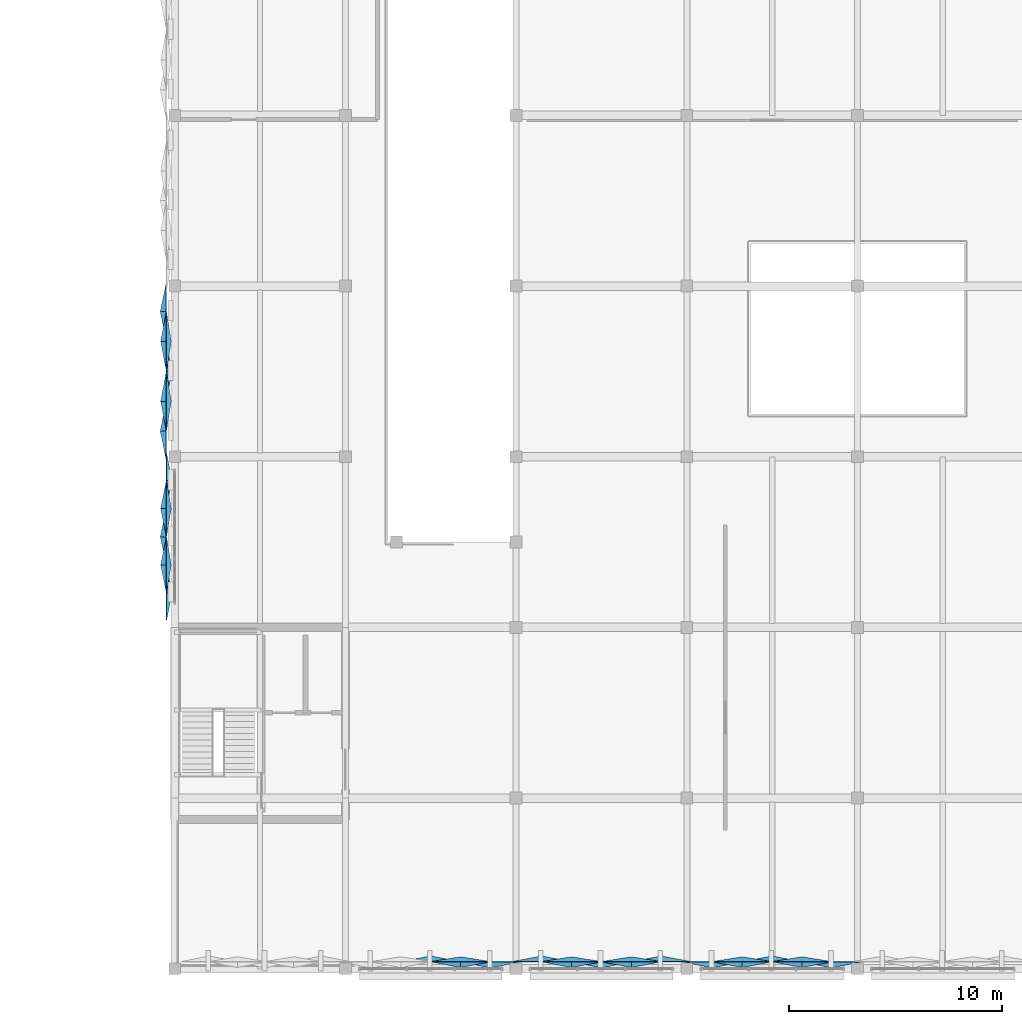
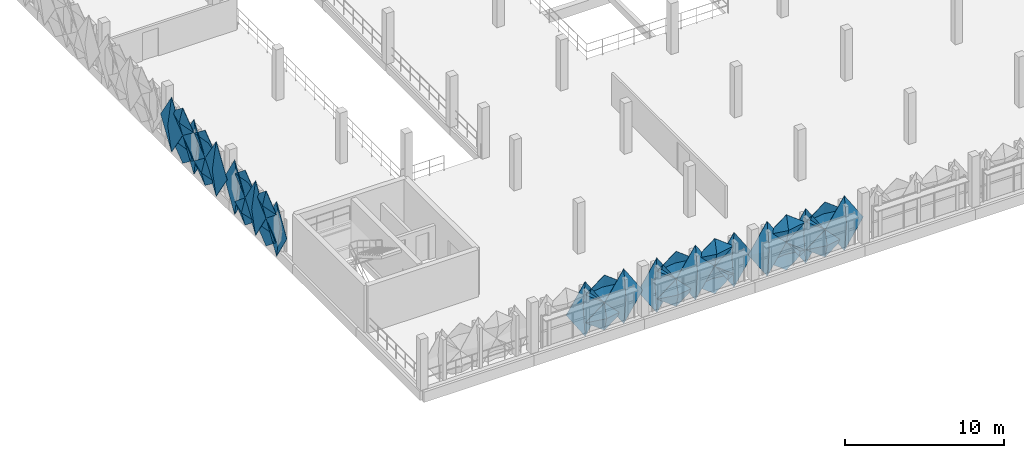
# One storey, part 58 of 83: 32 plates.
"""IFC4 building model written with IfcOpenShell, lengths in metres."""

from ifc_helpers import new_model, si_unit, derived_unit, direction, frame, origin, place, context, subcontext, project, spatial, polygons, material, layer, layer_set, type_object, element, save


model = new_model("IFC4")

# Units and contexts
model_context = context("Model", 3, precision=1e-05, world=origin(), true_north=direction((0.0, 1.0)))
body_context = subcontext(model_context, "Body", "Model", "MODEL_VIEW")
ifc_project = project(units=[si_unit("LENGTHUNIT", "METRE"), si_unit("AREAUNIT", "SQUARE_METRE"), si_unit("VOLUMEUNIT", "CUBIC_METRE"), si_unit("PLANEANGLEUNIT", "RADIAN"), si_unit("MASSUNIT", "GRAM", prefix="KILO"), si_unit("THERMODYNAMICTEMPERATUREUNIT", "KELVIN"), derived_unit("THERMALTRANSMITTANCEUNIT", [(si_unit("POWERUNIT", "WATT"), 1), (si_unit("AREAUNIT", "SQUARE_METRE"), -1), (si_unit("THERMODYNAMICTEMPERATUREUNIT", "KELVIN"), -1)])], contexts=[model_context])

# Site, building, storey
site_placement = place(None, origin())
site = spatial("IfcSite", under=ifc_project, at=site_placement, CompositionType="ELEMENT")
building_placement = place(site_placement, origin())
building = spatial("IfcBuilding", under=site, at=building_placement, Name="Haiyu Intermodal Mobility Hub", CompositionType="ELEMENT")
storey_placement = place(building_placement, frame((0.0, 0.0, 13.39990234375)))
storey = spatial("IfcBuildingStorey", under=building, at=storey_placement, Name="L03", CompositionType="ELEMENT", Elevation=13.39990234375)

# Plates
ifc_material = material(Name="Anodised aluminium 6063-T6", Category="aluminium")
ifc_layer_1 = layer(ifc_material, 0.01806640625)
ifc_layer_set_1 = layer_set([ifc_layer_1], Name="Anodised aluminium 6063-T6")
plate_type_1 = type_object("IfcPlateType", Name="PLT-FC01", PredefinedType="USERDEFINED", material=ifc_layer_set_1)
plate_1_placement = place(storey_placement, origin())
element("IfcPlate", 1, at=plate_1_placement, inside=storey, type_object=plate_type_1, Name="PLT-PYR-1754", ObjectType="FACADE CASSETTE", PredefinedType="USERDEFINED", context=body_context, shape_type="Tessellation", body=[
    polygons([(174.0, 16.320068359375, -0.510009765625), (175.3798828125, 16.320068359375, 1.60009765625), (174.0, 16.320068359375, 3.710205078125), (172.6201171875, 16.320068359375, 1.60009765625), (174.0, 16.0400390625, 1.60009765625), (174.0, 16.342041015625, -0.510009765625), (175.3798828125, 16.342041015625, 1.60009765625), (174.0, 16.342041015625, 3.710205078125), (172.6201171875, 16.342041015625, 1.60009765625), (174.0, 16.06201171875, 1.60009765625)], [[[1, 2, 5]], [[2, 3, 5]], [[3, 4, 5]], [[4, 1, 5]], [[7, 6, 10]], [[8, 7, 10]], [[9, 8, 10]], [[6, 9, 10]], [[1, 6, 7, 2]], [[2, 7, 8, 3]], [[3, 8, 9, 4]], [[4, 9, 6, 1]]], closed=True),
])
plate_2_placement = place(storey_placement, origin())
element("IfcPlate", 2, at=plate_2_placement, inside=storey, type_object=plate_type_1, Name="PLT-PYR-1756", ObjectType="FACADE CASSETTE", PredefinedType="USERDEFINED", context=body_context, shape_type="Tessellation", body=[
    polygons([(175.39990234375, 16.320068359375, 1.6201171875), (176.780029296875, 16.320068359375, 2.670166015625), (175.39990234375, 16.320068359375, 3.72021484375), (174.02001953125, 16.320068359375, 2.670166015625), (175.39990234375, 16.06005859375, 2.670166015625), (175.39990234375, 16.342041015625, 1.6201171875), (176.780029296875, 16.342041015625, 2.670166015625), (175.39990234375, 16.342041015625, 3.72021484375), (174.02001953125, 16.342041015625, 2.670166015625), (175.39990234375, 16.08203125, 2.670166015625)], [[[1, 2, 5]], [[2, 3, 5]], [[3, 4, 5]], [[4, 1, 5]], [[7, 6, 10]], [[8, 7, 10]], [[9, 8, 10]], [[6, 9, 10]], [[1, 6, 7, 2]], [[2, 7, 8, 3]], [[3, 8, 9, 4]], [[4, 9, 6, 1]]], closed=True),
])
plate_3_placement = place(storey_placement, origin())
element("IfcPlate", 3, at=plate_3_placement, inside=storey, type_object=plate_type_1, Name="PLT-PYR-1760", ObjectType="FACADE CASSETTE", PredefinedType="USERDEFINED", context=body_context, shape_type="Tessellation", body=[
    polygons([(180.60009765625, 16.320068359375, 1.6201171875), (181.97998046875, 16.320068359375, 2.670166015625), (180.60009765625, 16.320068359375, 3.72021484375), (179.219970703125, 16.320068359375, 2.670166015625), (180.60009765625, 16.06005859375, 2.670166015625), (180.60009765625, 16.342041015625, 1.6201171875), (181.97998046875, 16.342041015625, 2.670166015625), (180.60009765625, 16.342041015625, 3.72021484375), (179.219970703125, 16.342041015625, 2.670166015625), (180.60009765625, 16.08203125, 2.670166015625)], [[[1, 2, 5]], [[2, 3, 5]], [[3, 4, 5]], [[4, 1, 5]], [[7, 6, 10]], [[8, 7, 10]], [[9, 8, 10]], [[6, 9, 10]], [[1, 6, 7, 2]], [[2, 7, 8, 3]], [[3, 8, 9, 4]], [[4, 9, 6, 1]]], closed=True),
])
plate_4_placement = place(storey_placement, origin())
element("IfcPlate", 4, at=plate_4_placement, inside=storey, type_object=plate_type_1, Name="PLT-PYR-1827", ObjectType="FACADE CASSETTE", PredefinedType="USERDEFINED", context=body_context, shape_type="Tessellation", body=[
    polygons([(153.60009765625, 36.25, -0.510009765625), (153.60009765625, 34.952880859375, 1.60009765625), (153.60009765625, 36.25, 3.710205078125), (153.60009765625, 37.547119140625, 1.60009765625), (153.320068359375, 36.25, 1.60009765625), (153.6220703125, 36.25, -0.510009765625), (153.6220703125, 34.952880859375, 1.60009765625), (153.6220703125, 36.25, 3.710205078125), (153.6220703125, 37.547119140625, 1.60009765625), (153.342041015625, 36.25, 1.60009765625)], [[[1, 2, 5]], [[2, 3, 5]], [[3, 4, 5]], [[4, 1, 5]], [[7, 6, 10]], [[8, 7, 10]], [[9, 8, 10]], [[6, 9, 10]], [[1, 6, 7, 2]], [[2, 7, 8, 3]], [[3, 8, 9, 4]], [[4, 9, 6, 1]]], closed=True),
])
plate_5_placement = place(storey_placement, origin())
element("IfcPlate", 5, at=plate_5_placement, inside=storey, type_object=plate_type_1, Name="PLT-PYR-1829", ObjectType="FACADE CASSETTE", PredefinedType="USERDEFINED", context=body_context, shape_type="Tessellation", body=[
    polygons([(153.60009765625, 34.93310546875, 1.6201171875), (153.60009765625, 33.636962890625, 2.670166015625), (153.60009765625, 34.93310546875, 3.72021484375), (153.60009765625, 36.22998046875, 2.670166015625), (153.340087890625, 34.93310546875, 2.670166015625), (153.6220703125, 34.93310546875, 1.6201171875), (153.6220703125, 33.636962890625, 2.670166015625), (153.6220703125, 34.93310546875, 3.72021484375), (153.6220703125, 36.22998046875, 2.670166015625), (153.362060546875, 34.93310546875, 2.670166015625)], [[[1, 2, 5]], [[2, 3, 5]], [[3, 4, 5]], [[4, 1, 5]], [[7, 6, 10]], [[8, 7, 10]], [[9, 8, 10]], [[6, 9, 10]], [[1, 6, 7, 2]], [[2, 7, 8, 3]], [[3, 8, 9, 4]], [[4, 9, 6, 1]]], closed=True),
])
plate_6_placement = place(storey_placement, origin())
element("IfcPlate", 6, at=plate_6_placement, inside=storey, type_object=plate_type_1, Name="PLT-PYR-1833", ObjectType="FACADE CASSETTE", PredefinedType="USERDEFINED", context=body_context, shape_type="Tessellation", body=[
    polygons([(153.60009765625, 45.39990234375, 1.6201171875), (153.60009765625, 44.02001953125, 2.670166015625), (153.60009765625, 45.39990234375, 3.72021484375), (153.60009765625, 46.780029296875, 2.670166015625), (153.340087890625, 45.39990234375, 2.670166015625), (153.6220703125, 45.39990234375, 1.6201171875), (153.6220703125, 44.02001953125, 2.670166015625), (153.6220703125, 45.39990234375, 3.72021484375), (153.6220703125, 46.780029296875, 2.670166015625), (153.362060546875, 45.39990234375, 2.670166015625)], [[[1, 2, 5]], [[2, 3, 5]], [[3, 4, 5]], [[4, 1, 5]], [[7, 6, 10]], [[8, 7, 10]], [[9, 8, 10]], [[6, 9, 10]], [[1, 6, 7, 2]], [[2, 7, 8, 3]], [[3, 8, 9, 4]], [[4, 9, 6, 1]]], closed=True),
])
ifc_layer_2 = layer(ifc_material, 0.02001953125)
ifc_layer_set_2 = layer_set([ifc_layer_2], Name="Anodised aluminium 6063-T6")
plate_type_2 = type_object("IfcPlateType", Name="PLT-FC02", PredefinedType="USERDEFINED", material=ifc_layer_set_2)
plate_7_placement = place(storey_placement, origin())
element("IfcPlate", 7, at=plate_7_placement, inside=storey, type_object=plate_type_2, Name="PLT-PYR-1747", ObjectType="FACADE CASSETTE", PredefinedType="USERDEFINED", context=body_context, shape_type="Tessellation", body=[
    polygons([(166.0, 16.320068359375, -0.510009765625), (167.3798828125, 16.320068359375, 1.60009765625), (166.0, 16.320068359375, 3.710205078125), (164.6201171875, 16.320068359375, 1.60009765625), (166.0, 16.580078125, 1.60009765625), (166.0, 16.342041015625, -0.510009765625), (167.3798828125, 16.342041015625, 1.60009765625), (166.0, 16.342041015625, 3.710205078125), (164.6201171875, 16.342041015625, 1.60009765625), (166.0, 16.60205078125, 1.60009765625)], [[[1, 2, 5]], [[2, 3, 5]], [[3, 4, 5]], [[4, 1, 5]], [[7, 6, 10]], [[8, 7, 10]], [[9, 8, 10]], [[6, 9, 10]], [[1, 6, 7, 2]], [[2, 7, 8, 3]], [[3, 8, 9, 4]], [[4, 9, 6, 1]]], closed=True),
])
plate_8_placement = place(storey_placement, origin())
element("IfcPlate", 8, at=plate_8_placement, inside=storey, type_object=plate_type_2, Name="PLT-PYR-1749", ObjectType="FACADE CASSETTE", PredefinedType="USERDEFINED", context=body_context, shape_type="Tessellation", body=[
    polygons([(167.39990234375, 16.320068359375, 1.6201171875), (168.780029296875, 16.320068359375, 2.670166015625), (167.39990234375, 16.320068359375, 3.72021484375), (166.02001953125, 16.320068359375, 2.670166015625), (167.39990234375, 16.5400390625, 2.670166015625), (167.39990234375, 16.342041015625, 1.6201171875), (168.780029296875, 16.342041015625, 2.670166015625), (167.39990234375, 16.342041015625, 3.72021484375), (166.02001953125, 16.342041015625, 2.670166015625), (167.39990234375, 16.56201171875, 2.670166015625)], [[[1, 2, 5]], [[2, 3, 5]], [[3, 4, 5]], [[4, 1, 5]], [[7, 6, 10]], [[8, 7, 10]], [[9, 8, 10]], [[6, 9, 10]], [[1, 6, 7, 2]], [[2, 7, 8, 3]], [[3, 8, 9, 4]], [[4, 9, 6, 1]]], closed=True),
])
plate_9_placement = place(storey_placement, origin())
element("IfcPlate", 9, at=plate_9_placement, inside=storey, type_object=plate_type_2, Name="PLT-PYR-1753", ObjectType="FACADE CASSETTE", PredefinedType="USERDEFINED", context=body_context, shape_type="Tessellation", body=[
    polygons([(172.60009765625, 16.320068359375, 1.6201171875), (173.97998046875, 16.320068359375, 2.670166015625), (172.60009765625, 16.320068359375, 3.72021484375), (171.219970703125, 16.320068359375, 2.670166015625), (172.60009765625, 16.5400390625, 2.670166015625), (172.60009765625, 16.342041015625, 1.6201171875), (173.97998046875, 16.342041015625, 2.670166015625), (172.60009765625, 16.342041015625, 3.72021484375), (171.219970703125, 16.342041015625, 2.670166015625), (172.60009765625, 16.56201171875, 2.670166015625)], [[[1, 2, 5]], [[2, 3, 5]], [[3, 4, 5]], [[4, 1, 5]], [[7, 6, 10]], [[8, 7, 10]], [[9, 8, 10]], [[6, 9, 10]], [[1, 6, 7, 2]], [[2, 7, 8, 3]], [[3, 8, 9, 4]], [[4, 9, 6, 1]]], closed=True),
])
plate_10_placement = place(storey_placement, origin())
element("IfcPlate", 10, at=plate_10_placement, inside=storey, type_object=plate_type_2, Name="PLT-PYR-1761", ObjectType="FACADE CASSETTE", PredefinedType="USERDEFINED", context=body_context, shape_type="Tessellation", body=[
    polygons([(182.0, 16.320068359375, -0.510009765625), (183.3798828125, 16.320068359375, 1.60009765625), (182.0, 16.320068359375, 3.710205078125), (180.6201171875, 16.320068359375, 1.60009765625), (182.0, 16.580078125, 1.60009765625), (182.0, 16.342041015625, -0.510009765625), (183.3798828125, 16.342041015625, 1.60009765625), (182.0, 16.342041015625, 3.710205078125), (180.6201171875, 16.342041015625, 1.60009765625), (182.0, 16.60205078125, 1.60009765625)], [[[1, 2, 5]], [[2, 3, 5]], [[3, 4, 5]], [[4, 1, 5]], [[7, 6, 10]], [[8, 7, 10]], [[9, 8, 10]], [[6, 9, 10]], [[1, 6, 7, 2]], [[2, 7, 8, 3]], [[3, 8, 9, 4]], [[4, 9, 6, 1]]], closed=True),
])
plate_11_placement = place(storey_placement, origin())
element("IfcPlate", 11, at=plate_11_placement, inside=storey, type_object=plate_type_2, Name="PLT-PYR-1763", ObjectType="FACADE CASSETTE", PredefinedType="USERDEFINED", context=body_context, shape_type="Tessellation", body=[
    polygons([(183.39990234375, 16.320068359375, 1.6201171875), (184.780029296875, 16.320068359375, 2.670166015625), (183.39990234375, 16.320068359375, 3.72021484375), (182.02001953125, 16.320068359375, 2.670166015625), (183.39990234375, 16.5400390625, 2.670166015625), (183.39990234375, 16.342041015625, 1.6201171875), (184.780029296875, 16.342041015625, 2.670166015625), (183.39990234375, 16.342041015625, 3.72021484375), (182.02001953125, 16.342041015625, 2.670166015625), (183.39990234375, 16.56201171875, 2.670166015625)], [[[1, 2, 5]], [[2, 3, 5]], [[3, 4, 5]], [[4, 1, 5]], [[7, 6, 10]], [[8, 7, 10]], [[9, 8, 10]], [[6, 9, 10]], [[1, 6, 7, 2]], [[2, 7, 8, 3]], [[3, 8, 9, 4]], [[4, 9, 6, 1]]], closed=True),
])
plate_12_placement = place(storey_placement, origin())
element("IfcPlate", 12, at=plate_12_placement, inside=storey, type_object=plate_type_2, Name="PLT-PYR-1826", ObjectType="FACADE CASSETTE", PredefinedType="USERDEFINED", context=body_context, shape_type="Tessellation", body=[
    polygons([(153.60009765625, 37.56689453125, 1.6201171875), (153.60009765625, 36.27001953125, 2.670166015625), (153.60009765625, 37.56689453125, 3.72021484375), (153.60009765625, 38.863037109375, 2.670166015625), (153.820068359375, 37.56689453125, 2.670166015625), (153.6220703125, 37.56689453125, 1.6201171875), (153.6220703125, 36.27001953125, 2.670166015625), (153.6220703125, 37.56689453125, 3.72021484375), (153.6220703125, 38.863037109375, 2.670166015625), (153.842041015625, 37.56689453125, 2.670166015625)], [[[1, 2, 5]], [[2, 3, 5]], [[3, 4, 5]], [[4, 1, 5]], [[7, 6, 10]], [[8, 7, 10]], [[9, 8, 10]], [[6, 9, 10]], [[1, 6, 7, 2]], [[2, 7, 8, 3]], [[3, 8, 9, 4]], [[4, 9, 6, 1]]], closed=True),
])
plate_13_placement = place(storey_placement, origin())
element("IfcPlate", 13, at=plate_13_placement, inside=storey, type_object=plate_type_2, Name="PLT-PYR-1834", ObjectType="FACADE CASSETTE", PredefinedType="USERDEFINED", context=body_context, shape_type="Tessellation", body=[
    polygons([(153.60009765625, 44.0, -0.510009765625), (153.60009765625, 42.6201171875, 1.60009765625), (153.60009765625, 44.0, 3.710205078125), (153.60009765625, 45.3798828125, 1.60009765625), (153.860107421875, 44.0, 1.60009765625), (153.6220703125, 44.0, -0.510009765625), (153.6220703125, 42.6201171875, 1.60009765625), (153.6220703125, 44.0, 3.710205078125), (153.6220703125, 45.3798828125, 1.60009765625), (153.882080078125, 44.0, 1.60009765625)], [[[1, 2, 5]], [[2, 3, 5]], [[3, 4, 5]], [[4, 1, 5]], [[7, 6, 10]], [[8, 7, 10]], [[9, 8, 10]], [[6, 9, 10]], [[1, 6, 7, 2]], [[2, 7, 8, 3]], [[3, 8, 9, 4]], [[4, 9, 6, 1]]], closed=True),
])
plate_14_placement = place(storey_placement, origin())
element("IfcPlate", 14, at=plate_14_placement, inside=storey, type_object=plate_type_2, Name="PLT-PYR-1836", ObjectType="FACADE CASSETTE", PredefinedType="USERDEFINED", context=body_context, shape_type="Tessellation", body=[
    polygons([(153.60009765625, 42.60009765625, 1.6201171875), (153.60009765625, 41.219970703125, 2.670166015625), (153.60009765625, 42.60009765625, 3.72021484375), (153.60009765625, 43.97998046875, 2.670166015625), (153.820068359375, 42.60009765625, 2.670166015625), (153.6220703125, 42.60009765625, 1.6201171875), (153.6220703125, 41.219970703125, 2.670166015625), (153.6220703125, 42.60009765625, 3.72021484375), (153.6220703125, 43.97998046875, 2.670166015625), (153.842041015625, 42.60009765625, 2.670166015625)], [[[1, 2, 5]], [[2, 3, 5]], [[3, 4, 5]], [[4, 1, 5]], [[7, 6, 10]], [[8, 7, 10]], [[9, 8, 10]], [[6, 9, 10]], [[1, 6, 7, 2]], [[2, 7, 8, 3]], [[3, 8, 9, 4]], [[4, 9, 6, 1]]], closed=True),
])
ifc_layer_3 = layer(ifc_material, 0.01806640625)
ifc_layer_set_3 = layer_set([ifc_layer_3], Name="Anodised aluminium 6063-T6")
plate_type_3 = type_object("IfcPlateType", Name="PLT-FC03", PredefinedType="USERDEFINED", material=ifc_layer_set_3)
plate_15_placement = place(storey_placement, origin())
element("IfcPlate", 15, at=plate_15_placement, inside=storey, type_object=plate_type_3, Name="PLT-PYR-1750", ObjectType="FACADE CASSETTE", PredefinedType="USERDEFINED", context=body_context, shape_type="Tessellation", body=[
    polygons([(168.800048828125, 16.320068359375, -0.510009765625), (170.179931640625, 16.320068359375, 1.60009765625), (168.800048828125, 16.320068359375, 3.710205078125), (167.419921875, 16.320068359375, 1.60009765625), (168.800048828125, 16.0400390625, 1.60009765625), (168.800048828125, 16.342041015625, -0.510009765625), (170.179931640625, 16.342041015625, 1.60009765625), (168.800048828125, 16.342041015625, 3.710205078125), (167.419921875, 16.342041015625, 1.60009765625), (168.800048828125, 16.06201171875, 1.60009765625)], [[[1, 2, 5]], [[2, 3, 5]], [[3, 4, 5]], [[4, 1, 5]], [[7, 6, 10]], [[8, 7, 10]], [[9, 8, 10]], [[6, 9, 10]], [[1, 6, 7, 2]], [[2, 7, 8, 3]], [[3, 8, 9, 4]], [[4, 9, 6, 1]]], closed=True),
])
plate_16_placement = place(storey_placement, origin())
element("IfcPlate", 16, at=plate_16_placement, inside=storey, type_object=plate_type_3, Name="PLT-PYR-1764", ObjectType="FACADE CASSETTE", PredefinedType="USERDEFINED", context=body_context, shape_type="Tessellation", body=[
    polygons([(184.800048828125, 16.320068359375, -0.510009765625), (186.179931640625, 16.320068359375, 1.60009765625), (184.800048828125, 16.320068359375, 3.710205078125), (183.419921875, 16.320068359375, 1.60009765625), (184.800048828125, 16.0400390625, 1.60009765625), (184.800048828125, 16.342041015625, -0.510009765625), (186.179931640625, 16.342041015625, 1.60009765625), (184.800048828125, 16.342041015625, 3.710205078125), (183.419921875, 16.342041015625, 1.60009765625), (184.800048828125, 16.06201171875, 1.60009765625)], [[[1, 2, 5]], [[2, 3, 5]], [[3, 4, 5]], [[4, 1, 5]], [[7, 6, 10]], [[8, 7, 10]], [[9, 8, 10]], [[6, 9, 10]], [[1, 6, 7, 2]], [[2, 7, 8, 3]], [[3, 8, 9, 4]], [[4, 9, 6, 1]]], closed=True),
])
plate_17_placement = place(storey_placement, origin())
element("IfcPlate", 17, at=plate_17_placement, inside=storey, type_object=plate_type_3, Name="PLT-PYR-1837", ObjectType="FACADE CASSETTE", PredefinedType="USERDEFINED", context=body_context, shape_type="Tessellation", body=[
    polygons([(153.60009765625, 41.199951171875, -0.510009765625), (153.60009765625, 39.820068359375, 1.60009765625), (153.60009765625, 41.199951171875, 3.710205078125), (153.60009765625, 42.580078125, 1.60009765625), (153.320068359375, 41.199951171875, 1.60009765625), (153.6220703125, 41.199951171875, -0.510009765625), (153.6220703125, 39.820068359375, 1.60009765625), (153.6220703125, 41.199951171875, 3.710205078125), (153.6220703125, 42.580078125, 1.60009765625), (153.342041015625, 41.199951171875, 1.60009765625)], [[[1, 2, 5]], [[2, 3, 5]], [[3, 4, 5]], [[4, 1, 5]], [[7, 6, 10]], [[8, 7, 10]], [[9, 8, 10]], [[6, 9, 10]], [[1, 6, 7, 2]], [[2, 7, 8, 3]], [[3, 8, 9, 4]], [[4, 9, 6, 1]]], closed=True),
])
ifc_layer_4 = layer(ifc_material, 0.02001953125)
ifc_layer_set_4 = layer_set([ifc_layer_4], Name="Anodised aluminium 6063-T6")
plate_type_4 = type_object("IfcPlateType", Name="PLT-FC04", PredefinedType="USERDEFINED", material=ifc_layer_set_4)
plate_18_placement = place(storey_placement, origin())
element("IfcPlate", 18, at=plate_18_placement, inside=storey, type_object=plate_type_4, Name="PLT-PYR-1757", ObjectType="FACADE CASSETTE", PredefinedType="USERDEFINED", context=body_context, shape_type="Tessellation", body=[
    polygons([(176.800048828125, 16.320068359375, -0.510009765625), (178.179931640625, 16.320068359375, 1.60009765625), (176.800048828125, 16.320068359375, 3.710205078125), (175.419921875, 16.320068359375, 1.60009765625), (176.800048828125, 16.580078125, 1.60009765625), (176.800048828125, 16.342041015625, -0.510009765625), (178.179931640625, 16.342041015625, 1.60009765625), (176.800048828125, 16.342041015625, 3.710205078125), (175.419921875, 16.342041015625, 1.60009765625), (176.800048828125, 16.60205078125, 1.60009765625)], [[[1, 2, 5]], [[2, 3, 5]], [[3, 4, 5]], [[4, 1, 5]], [[7, 6, 10]], [[8, 7, 10]], [[9, 8, 10]], [[6, 9, 10]], [[1, 6, 7, 2]], [[2, 7, 8, 3]], [[3, 8, 9, 4]], [[4, 9, 6, 1]]], closed=True),
])
plate_19_placement = place(storey_placement, origin())
element("IfcPlate", 19, at=plate_19_placement, inside=storey, type_object=plate_type_4, Name="PLT-PYR-1830", ObjectType="FACADE CASSETTE", PredefinedType="USERDEFINED", context=body_context, shape_type="Tessellation", body=[
    polygons([(153.60009765625, 33.616943359375, -0.510009765625), (153.60009765625, 32.320068359375, 1.60009765625), (153.60009765625, 33.616943359375, 3.710205078125), (153.60009765625, 34.9130859375, 1.60009765625), (153.860107421875, 33.616943359375, 1.60009765625), (153.6220703125, 33.616943359375, -0.510009765625), (153.6220703125, 32.320068359375, 1.60009765625), (153.6220703125, 33.616943359375, 3.710205078125), (153.6220703125, 34.9130859375, 1.60009765625), (153.882080078125, 33.616943359375, 1.60009765625)], [[[1, 2, 5]], [[2, 3, 5]], [[3, 4, 5]], [[4, 1, 5]], [[7, 6, 10]], [[8, 7, 10]], [[9, 8, 10]], [[6, 9, 10]], [[1, 6, 7, 2]], [[2, 7, 8, 3]], [[3, 8, 9, 4]], [[4, 9, 6, 1]]], closed=True),
])
ifc_layer_5 = layer(ifc_material, 0.02197265625)
ifc_layer_set_5 = layer_set([ifc_layer_5], Name="Anodised aluminium 6063-T6")
plate_type_5 = type_object("IfcPlateType", Name="PLT-FC07", PredefinedType="USERDEFINED", material=ifc_layer_set_5)
plate_20_placement = place(storey_placement, origin())
element("IfcPlate", 20, at=plate_20_placement, inside=storey, type_object=plate_type_5, Name="PLT-PYR-1748", ObjectType="FACADE CASSETTE", PredefinedType="USERDEFINED", context=body_context, shape_type="Tessellation", body=[
    polygons([(167.39990234375, 16.320068359375, -0.52001953125), (168.780029296875, 16.320068359375, 0.530029296875), (167.39990234375, 16.320068359375, 1.580078125), (166.02001953125, 16.320068359375, 0.530029296875), (167.39990234375, 16.06005859375, 0.530029296875), (167.39990234375, 16.342041015625, -0.52001953125), (168.780029296875, 16.342041015625, 0.530029296875), (167.39990234375, 16.342041015625, 1.580078125), (166.02001953125, 16.342041015625, 0.530029296875), (167.39990234375, 16.08203125, 0.530029296875)], [[[1, 2, 5]], [[2, 3, 5]], [[3, 4, 5]], [[4, 1, 5]], [[7, 6, 10]], [[8, 7, 10]], [[9, 8, 10]], [[6, 9, 10]], [[1, 6, 7, 2]], [[2, 7, 8, 3]], [[3, 8, 9, 4]], [[4, 9, 6, 1]]], closed=True),
])
plate_21_placement = place(storey_placement, origin())
element("IfcPlate", 21, at=plate_21_placement, inside=storey, type_object=plate_type_5, Name="PLT-PYR-1752", ObjectType="FACADE CASSETTE", PredefinedType="USERDEFINED", context=body_context, shape_type="Tessellation", body=[
    polygons([(172.60009765625, 16.320068359375, -0.52001953125), (173.97998046875, 16.320068359375, 0.530029296875), (172.60009765625, 16.320068359375, 1.580078125), (171.219970703125, 16.320068359375, 0.530029296875), (172.60009765625, 16.06005859375, 0.530029296875), (172.60009765625, 16.342041015625, -0.52001953125), (173.97998046875, 16.342041015625, 0.530029296875), (172.60009765625, 16.342041015625, 1.580078125), (171.219970703125, 16.342041015625, 0.530029296875), (172.60009765625, 16.08203125, 0.530029296875)], [[[1, 2, 5]], [[2, 3, 5]], [[3, 4, 5]], [[4, 1, 5]], [[7, 6, 10]], [[8, 7, 10]], [[9, 8, 10]], [[6, 9, 10]], [[1, 6, 7, 2]], [[2, 7, 8, 3]], [[3, 8, 9, 4]], [[4, 9, 6, 1]]], closed=True),
])
plate_22_placement = place(storey_placement, origin())
element("IfcPlate", 22, at=plate_22_placement, inside=storey, type_object=plate_type_5, Name="PLT-PYR-1758", ObjectType="FACADE CASSETTE", PredefinedType="USERDEFINED", context=body_context, shape_type="Tessellation", body=[
    polygons([(179.199951171875, 16.320068359375, -0.510009765625), (180.580078125, 16.320068359375, 1.60009765625), (179.199951171875, 16.320068359375, 3.710205078125), (177.820068359375, 16.320068359375, 1.60009765625), (179.199951171875, 16.0400390625, 1.60009765625), (179.199951171875, 16.342041015625, -0.510009765625), (180.580078125, 16.342041015625, 1.60009765625), (179.199951171875, 16.342041015625, 3.710205078125), (177.820068359375, 16.342041015625, 1.60009765625), (179.199951171875, 16.06201171875, 1.60009765625)], [[[1, 2, 5]], [[2, 3, 5]], [[3, 4, 5]], [[4, 1, 5]], [[7, 6, 10]], [[8, 7, 10]], [[9, 8, 10]], [[6, 9, 10]], [[1, 6, 7, 2]], [[2, 7, 8, 3]], [[3, 8, 9, 4]], [[4, 9, 6, 1]]], closed=True),
])
plate_23_placement = place(storey_placement, origin())
element("IfcPlate", 23, at=plate_23_placement, inside=storey, type_object=plate_type_5, Name="PLT-PYR-1762", ObjectType="FACADE CASSETTE", PredefinedType="USERDEFINED", context=body_context, shape_type="Tessellation", body=[
    polygons([(183.39990234375, 16.320068359375, -0.52001953125), (184.780029296875, 16.320068359375, 0.530029296875), (183.39990234375, 16.320068359375, 1.580078125), (182.02001953125, 16.320068359375, 0.530029296875), (183.39990234375, 16.06005859375, 0.530029296875), (183.39990234375, 16.342041015625, -0.52001953125), (184.780029296875, 16.342041015625, 0.530029296875), (183.39990234375, 16.342041015625, 1.580078125), (182.02001953125, 16.342041015625, 0.530029296875), (183.39990234375, 16.08203125, 0.530029296875)], [[[1, 2, 5]], [[2, 3, 5]], [[3, 4, 5]], [[4, 1, 5]], [[7, 6, 10]], [[8, 7, 10]], [[9, 8, 10]], [[6, 9, 10]], [[1, 6, 7, 2]], [[2, 7, 8, 3]], [[3, 8, 9, 4]], [[4, 9, 6, 1]]], closed=True),
])
plate_24_placement = place(storey_placement, origin())
element("IfcPlate", 24, at=plate_24_placement, inside=storey, type_object=plate_type_5, Name="PLT-PYR-1825", ObjectType="FACADE CASSETTE", PredefinedType="USERDEFINED", context=body_context, shape_type="Tessellation", body=[
    polygons([(153.60009765625, 37.56689453125, -0.52001953125), (153.60009765625, 36.27001953125, 0.530029296875), (153.60009765625, 37.56689453125, 1.580078125), (153.60009765625, 38.863037109375, 0.530029296875), (153.340087890625, 37.56689453125, 0.530029296875), (153.6220703125, 37.56689453125, -0.52001953125), (153.6220703125, 36.27001953125, 0.530029296875), (153.6220703125, 37.56689453125, 1.580078125), (153.6220703125, 38.863037109375, 0.530029296875), (153.362060546875, 37.56689453125, 0.530029296875)], [[[1, 2, 5]], [[2, 3, 5]], [[3, 4, 5]], [[4, 1, 5]], [[7, 6, 10]], [[8, 7, 10]], [[9, 8, 10]], [[6, 9, 10]], [[1, 6, 7, 2]], [[2, 7, 8, 3]], [[3, 8, 9, 4]], [[4, 9, 6, 1]]], closed=True),
])
plate_25_placement = place(storey_placement, origin())
element("IfcPlate", 25, at=plate_25_placement, inside=storey, type_object=plate_type_5, Name="PLT-PYR-1831", ObjectType="FACADE CASSETTE", PredefinedType="USERDEFINED", context=body_context, shape_type="Tessellation", body=[
    polygons([(153.60009765625, 46.800048828125, -0.510009765625), (153.60009765625, 45.419921875, 1.60009765625), (153.60009765625, 46.800048828125, 3.710205078125), (153.60009765625, 48.179931640625, 1.60009765625), (153.320068359375, 46.800048828125, 1.60009765625), (153.6220703125, 46.800048828125, -0.510009765625), (153.6220703125, 45.419921875, 1.60009765625), (153.6220703125, 46.800048828125, 3.710205078125), (153.6220703125, 48.179931640625, 1.60009765625), (153.342041015625, 46.800048828125, 1.60009765625)], [[[1, 2, 5]], [[2, 3, 5]], [[3, 4, 5]], [[4, 1, 5]], [[7, 6, 10]], [[8, 7, 10]], [[9, 8, 10]], [[6, 9, 10]], [[1, 6, 7, 2]], [[2, 7, 8, 3]], [[3, 8, 9, 4]], [[4, 9, 6, 1]]], closed=True),
])
plate_26_placement = place(storey_placement, origin())
element("IfcPlate", 26, at=plate_26_placement, inside=storey, type_object=plate_type_5, Name="PLT-PYR-1835", ObjectType="FACADE CASSETTE", PredefinedType="USERDEFINED", context=body_context, shape_type="Tessellation", body=[
    polygons([(153.60009765625, 42.60009765625, -0.52001953125), (153.60009765625, 41.219970703125, 0.530029296875), (153.60009765625, 42.60009765625, 1.580078125), (153.60009765625, 43.97998046875, 0.530029296875), (153.340087890625, 42.60009765625, 0.530029296875), (153.6220703125, 42.60009765625, -0.52001953125), (153.6220703125, 41.219970703125, 0.530029296875), (153.6220703125, 42.60009765625, 1.580078125), (153.6220703125, 43.97998046875, 0.530029296875), (153.362060546875, 42.60009765625, 0.530029296875)], [[[1, 2, 5]], [[2, 3, 5]], [[3, 4, 5]], [[4, 1, 5]], [[7, 6, 10]], [[8, 7, 10]], [[9, 8, 10]], [[6, 9, 10]], [[1, 6, 7, 2]], [[2, 7, 8, 3]], [[3, 8, 9, 4]], [[4, 9, 6, 1]]], closed=True),
])
ifc_layer_6 = layer(ifc_material, 0.02392578125)
ifc_layer_set_6 = layer_set([ifc_layer_6], Name="Anodised aluminium 6063-T6")
plate_type_6 = type_object("IfcPlateType", Name="PLT-FC08", PredefinedType="USERDEFINED", material=ifc_layer_set_6)
plate_27_placement = place(storey_placement, origin())
element("IfcPlate", 27, at=plate_27_placement, inside=storey, type_object=plate_type_6, Name="PLT-PYR-1751", ObjectType="FACADE CASSETTE", PredefinedType="USERDEFINED", context=body_context, shape_type="Tessellation", body=[
    polygons([(171.199951171875, 16.320068359375, -0.510009765625), (172.580078125, 16.320068359375, 1.60009765625), (171.199951171875, 16.320068359375, 3.710205078125), (169.820068359375, 16.320068359375, 1.60009765625), (171.199951171875, 16.580078125, 1.60009765625), (171.199951171875, 16.342041015625, -0.510009765625), (172.580078125, 16.342041015625, 1.60009765625), (171.199951171875, 16.342041015625, 3.710205078125), (169.820068359375, 16.342041015625, 1.60009765625), (171.199951171875, 16.60205078125, 1.60009765625)], [[[1, 2, 5]], [[2, 3, 5]], [[3, 4, 5]], [[4, 1, 5]], [[7, 6, 10]], [[8, 7, 10]], [[9, 8, 10]], [[6, 9, 10]], [[1, 6, 7, 2]], [[2, 7, 8, 3]], [[3, 8, 9, 4]], [[4, 9, 6, 1]]], closed=True),
])
plate_28_placement = place(storey_placement, origin())
element("IfcPlate", 28, at=plate_28_placement, inside=storey, type_object=plate_type_6, Name="PLT-PYR-1755", ObjectType="FACADE CASSETTE", PredefinedType="USERDEFINED", context=body_context, shape_type="Tessellation", body=[
    polygons([(175.39990234375, 16.320068359375, -0.52001953125), (176.780029296875, 16.320068359375, 0.530029296875), (175.39990234375, 16.320068359375, 1.580078125), (174.02001953125, 16.320068359375, 0.530029296875), (175.39990234375, 16.5400390625, 0.530029296875), (175.39990234375, 16.342041015625, -0.52001953125), (176.780029296875, 16.342041015625, 0.530029296875), (175.39990234375, 16.342041015625, 1.580078125), (174.02001953125, 16.342041015625, 0.530029296875), (175.39990234375, 16.56201171875, 0.530029296875)], [[[1, 2, 5]], [[2, 3, 5]], [[3, 4, 5]], [[4, 1, 5]], [[7, 6, 10]], [[8, 7, 10]], [[9, 8, 10]], [[6, 9, 10]], [[1, 6, 7, 2]], [[2, 7, 8, 3]], [[3, 8, 9, 4]], [[4, 9, 6, 1]]], closed=True),
])
plate_29_placement = place(storey_placement, origin())
element("IfcPlate", 29, at=plate_29_placement, inside=storey, type_object=plate_type_6, Name="PLT-PYR-1759", ObjectType="FACADE CASSETTE", PredefinedType="USERDEFINED", context=body_context, shape_type="Tessellation", body=[
    polygons([(180.60009765625, 16.320068359375, -0.52001953125), (181.97998046875, 16.320068359375, 0.530029296875), (180.60009765625, 16.320068359375, 1.580078125), (179.219970703125, 16.320068359375, 0.530029296875), (180.60009765625, 16.5400390625, 0.530029296875), (180.60009765625, 16.342041015625, -0.52001953125), (181.97998046875, 16.342041015625, 0.530029296875), (180.60009765625, 16.342041015625, 1.580078125), (179.219970703125, 16.342041015625, 0.530029296875), (180.60009765625, 16.56201171875, 0.530029296875)], [[[1, 2, 5]], [[2, 3, 5]], [[3, 4, 5]], [[4, 1, 5]], [[7, 6, 10]], [[8, 7, 10]], [[9, 8, 10]], [[6, 9, 10]], [[1, 6, 7, 2]], [[2, 7, 8, 3]], [[3, 8, 9, 4]], [[4, 9, 6, 1]]], closed=True),
])
plate_30_placement = place(storey_placement, origin())
element("IfcPlate", 30, at=plate_30_placement, inside=storey, type_object=plate_type_6, Name="PLT-PYR-1824", ObjectType="FACADE CASSETTE", PredefinedType="USERDEFINED", context=body_context, shape_type="Tessellation", body=[
    polygons([(153.60009765625, 38.883056640625, -0.510009765625), (153.60009765625, 37.5869140625, 1.60009765625), (153.60009765625, 38.883056640625, 3.710205078125), (153.60009765625, 40.179931640625, 1.60009765625), (153.860107421875, 38.883056640625, 1.60009765625), (153.6220703125, 38.883056640625, -0.510009765625), (153.6220703125, 37.5869140625, 1.60009765625), (153.6220703125, 38.883056640625, 3.710205078125), (153.6220703125, 40.179931640625, 1.60009765625), (153.882080078125, 38.883056640625, 1.60009765625)], [[[1, 2, 5]], [[2, 3, 5]], [[3, 4, 5]], [[4, 1, 5]], [[7, 6, 10]], [[8, 7, 10]], [[9, 8, 10]], [[6, 9, 10]], [[1, 6, 7, 2]], [[2, 7, 8, 3]], [[3, 8, 9, 4]], [[4, 9, 6, 1]]], closed=True),
])
plate_31_placement = place(storey_placement, origin())
element("IfcPlate", 31, at=plate_31_placement, inside=storey, type_object=plate_type_6, Name="PLT-PYR-1828", ObjectType="FACADE CASSETTE", PredefinedType="USERDEFINED", context=body_context, shape_type="Tessellation", body=[
    polygons([(153.60009765625, 34.93310546875, -0.52001953125), (153.60009765625, 33.636962890625, 0.530029296875), (153.60009765625, 34.93310546875, 1.580078125), (153.60009765625, 36.22998046875, 0.530029296875), (153.820068359375, 34.93310546875, 0.530029296875), (153.6220703125, 34.93310546875, -0.52001953125), (153.6220703125, 33.636962890625, 0.530029296875), (153.6220703125, 34.93310546875, 1.580078125), (153.6220703125, 36.22998046875, 0.530029296875), (153.842041015625, 34.93310546875, 0.530029296875)], [[[1, 2, 5]], [[2, 3, 5]], [[3, 4, 5]], [[4, 1, 5]], [[7, 6, 10]], [[8, 7, 10]], [[9, 8, 10]], [[6, 9, 10]], [[1, 6, 7, 2]], [[2, 7, 8, 3]], [[3, 8, 9, 4]], [[4, 9, 6, 1]]], closed=True),
])
plate_32_placement = place(storey_placement, origin())
element("IfcPlate", 32, at=plate_32_placement, inside=storey, type_object=plate_type_6, Name="PLT-PYR-1832", ObjectType="FACADE CASSETTE", PredefinedType="USERDEFINED", context=body_context, shape_type="Tessellation", body=[
    polygons([(153.60009765625, 45.39990234375, -0.52001953125), (153.60009765625, 44.02001953125, 0.530029296875), (153.60009765625, 45.39990234375, 1.580078125), (153.60009765625, 46.780029296875, 0.530029296875), (153.820068359375, 45.39990234375, 0.530029296875), (153.6220703125, 45.39990234375, -0.52001953125), (153.6220703125, 44.02001953125, 0.530029296875), (153.6220703125, 45.39990234375, 1.580078125), (153.6220703125, 46.780029296875, 0.530029296875), (153.842041015625, 45.39990234375, 0.530029296875)], [[[1, 2, 5]], [[2, 3, 5]], [[3, 4, 5]], [[4, 1, 5]], [[7, 6, 10]], [[8, 7, 10]], [[9, 8, 10]], [[6, 9, 10]], [[1, 6, 7, 2]], [[2, 7, 8, 3]], [[3, 8, 9, 4]], [[4, 9, 6, 1]]], closed=True),
])

save(model, "model.ifc")
